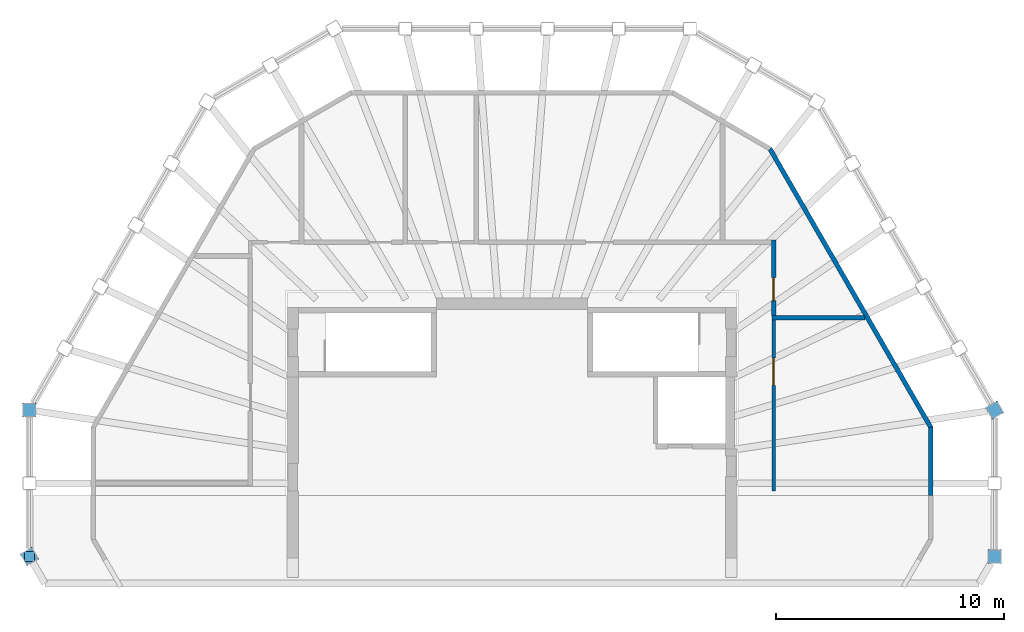
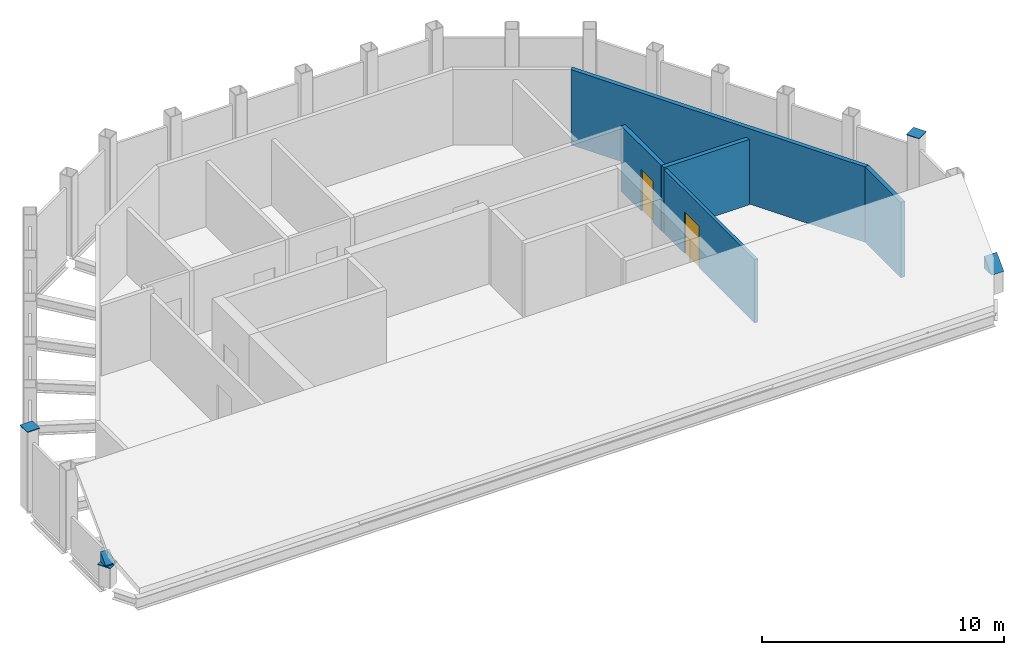
# One storey, part 3 of 4: 5 discrete accessories, 5 walls, 2 doors, 2 openings.
"""IFC4 building model written with IfcOpenShell, lengths in metres."""

from ifc_helpers import new_model, si_unit, direction, frame, frame_2d, origin, origin_2d, place, context, subcontext, project, spatial, polyline, rectangle, outline, extrude, material, layer, layer_set, type_object, element, fill, save


model = new_model("IFC4")

# Units and contexts
model_context = context("Model", 3, precision=1e-05, world=origin(), true_north=direction((0.0, 1.0)))
body_context = subcontext(model_context, "Body", "Model", "MODEL_VIEW")
ifc_project = project(units=[si_unit("LENGTHUNIT", "METRE"), si_unit("AREAUNIT", "SQUARE_METRE"), si_unit("VOLUMEUNIT", "CUBIC_METRE"), si_unit("PLANEANGLEUNIT", "RADIAN"), si_unit("MASSUNIT", "GRAM", prefix="KILO")], contexts=[model_context])

# Site, building, storey
site_placement = place(None, origin())
site = spatial("IfcSite", under=ifc_project, at=site_placement, CompositionType="ELEMENT")
building_placement = place(site_placement, origin())
building = spatial("IfcBuilding", under=site, at=building_placement, Name="Frailejon Research Tower", CompositionType="ELEMENT")
storey_placement = place(building_placement, frame((0.0, 0.0, 364.60009765625)))
storey = spatial("IfcBuildingStorey", under=building, at=storey_placement, Name="L82", CompositionType="ELEMENT", Elevation=364.60009765625)

# Wall, opening, door
ifc_material_1 = material(Name="Gypsum board and masonry partition", Category="masonry")
ifc_layer_1 = layer(ifc_material_1, 0.14990234375)
ifc_layer_set_1 = layer_set([ifc_layer_1], Name="Corridor wall EI 60, gypsum on steel studs 150")
wall_type_1 = type_object("IfcWallType", Name="Corridor wall EI 60, gypsum on steel studs 150", PredefinedType="PARTITIONING", material=ifc_layer_set_1)
wall_1_placement = place(storey_placement, frame((11.449951171875, -0.330078125, 0.0), z_axis=(0.0, 0.0, 1.0), x_axis=(0.0, 1.0, 0.0)))
wall_1 = element("IfcWall", 1, at=wall_1_placement, inside=storey, type_object=wall_type_1, Name="T:IW:L82:001", PredefinedType="PARTITIONING", context=body_context, shape_type="SweptSolid", body=[
    extrude(rectangle(XDim=7.481201171875, YDim=0.14990234375, at=frame_2d((3.74072265625, 0.0))), origin(), (0.0, 0.0, 1.0), 3.199951171875),
])
opening_1_placement = place(wall_1_placement, frame((4.611083984375, 0.0, 0.0)))
opening_1 = element("IfcOpeningElement", 2, at=opening_1_placement, cuts=wall_1, Name="Opening D1212", PredefinedType="OPENING", context=body_context, shape_type="SweptSolid", body=[
    extrude(rectangle(XDim=1.199951171875, YDim=2.10009765625, at=frame_2d((0.60009765625, 1.050048828125))), frame((0.0, 0.0849609375, 0.0), z_axis=(0.0, -1.0, 0.0), x_axis=(1.0, 0.0, 0.0)), (0.0, 0.0, 1.0), 0.169921875),
])
ifc_material_2 = material(Name="Steel door leaf", Category="steel")
door_type_1 = type_object("IfcDoorType", Name="Door plant room, steel 1200", OperationType="NOTDEFINED", PredefinedType="DOOR", material=ifc_material_2)
door_1_placement = place(opening_1_placement, origin())
door_1 = element("IfcDoor", 3, at=door_1_placement, inside=storey, type_object=door_type_1, Name="D1212", OperationType="DOUBLE_DOOR_SINGLE_SWING", OverallHeight=2.10009765625, OverallWidth=1.199951171875, PredefinedType="DOOR", context=body_context, shape_type="SweptSolid", body=[
    extrude(rectangle(XDim=1.199951171875, YDim=2.10009765625, at=frame_2d((0.60009765625, 1.050048828125))), frame((0.0, 0.02490234375, 0.0), z_axis=(0.0, -1.0, 0.0), x_axis=(1.0, 0.0, 0.0)), (0.0, 0.0, 1.0), 0.050048828125),
])
fill(opening_1, door_1)

# Walls
ifc_material_3 = material(Name="Aluminium louvre cladding panel", Category="aluminium")
ifc_layer_2 = layer(ifc_material_3, 0.199951171875)
ifc_layer_set_2 = layer_set([ifc_layer_2], Name="Crown louvred wall 200")
wall_type_2 = type_object("IfcWallType", Name="Crown louvred wall 200", PredefinedType="SOLIDWALL", material=ifc_layer_set_2)
wall_2_placement = place(storey_placement, frame((18.327392578125, -0.5302734375, 0.0), z_axis=(0.0, 0.0, 1.0), x_axis=(0.0, 1.0, 0.0)))
element("IfcWall", 4, at=wall_2_placement, inside=storey, type_object=wall_type_2, Name="Crown louvred wall L82", PredefinedType="SOLIDWALL", context=body_context, shape_type="SweptSolid", body=[
    extrude(outline(polyline([(0.0, -0.10009765625), (3.012939453125, -0.10009765625), (2.959228515625, 0.10009765625), (0.0, 0.10009765625), (0.0, -0.10009765625)])), origin(), (0.0, 0.0, 1.0), 3.7998046875),
])
wall_3_placement = place(storey_placement, frame((18.327392578125, 2.455810546875, 0.0), z_axis=(0.0, 0.0, 1.0), x_axis=(-0.499991740577, 0.866030172312, 0.0)))
element("IfcWall", 5, at=wall_3_placement, inside=storey, type_object=wall_type_2, Name="Crown louvred wall L82", PredefinedType="SOLIDWALL", context=body_context, shape_type="SweptSolid", body=[
    extrude(outline(polyline([(-0.02685546875, -0.10009765625), (14.100830078125, -0.10009765625), (14.047119140625, 0.10009765625), (0.02685546875, 0.10009765625), (-0.02685546875, -0.10009765625)])), origin(), (0.0, 0.0, 1.0), 3.7998046875),
])

# Wall, opening, door
ifc_material_4 = material(Name="Gypsum board and masonry partition", Category="masonry")
ifc_layer_3 = layer(ifc_material_4, 0.199951171875)
ifc_layer_set_3 = layer_set([ifc_layer_3], Name="Plant enclosure wall, blockwork 200")
wall_type_3 = type_object("IfcWallType", Name="Plant enclosure wall, blockwork 200", PredefinedType="PARTITIONING", material=ifc_layer_set_3)
wall_4_placement = place(storey_placement, frame((11.449951171875, 7.351318359375, 0.0), z_axis=(0.0, 0.0, 1.0), x_axis=(0.0, 1.0, 0.0)))
wall_4 = element("IfcWall", 6, at=wall_4_placement, inside=storey, type_object=wall_type_3, Name="T:IW:L82:007", PredefinedType="PARTITIONING", context=body_context, shape_type="SweptSolid", body=[
    extrude(rectangle(XDim=3.298583984375, YDim=0.199951171875, at=frame_2d((1.6494140625, 0.0))), origin(), (0.0, 0.0, 1.0), 3.2998046875),
])
opening_2_placement = place(wall_4_placement, frame((0.649658203125, 0.0, 0.0)))
opening_2 = element("IfcOpeningElement", 7, at=opening_2_placement, cuts=wall_4, Name="Opening D1213", PredefinedType="OPENING", context=body_context, shape_type="SweptSolid", body=[
    extrude(rectangle(XDim=1.0, YDim=2.10009765625, at=frame_2d((0.5, 1.050048828125))), frame((0.0, 0.10986328125, 0.0), z_axis=(0.0, -1.0, 0.0), x_axis=(1.0, 0.0, 0.0)), (0.0, 0.0, 1.0), 0.219970703125),
])
ifc_material_5 = material(Name="Steel door leaf", Category="steel")
door_type_2 = type_object("IfcDoorType", Name="Door plant room, steel 1000", OperationType="NOTDEFINED", PredefinedType="DOOR", material=ifc_material_5)
door_2_placement = place(opening_2_placement, origin())
door_2 = element("IfcDoor", 8, at=door_2_placement, inside=storey, type_object=door_type_2, Name="D1213", OperationType="SINGLE_SWING_RIGHT", OverallHeight=2.10009765625, OverallWidth=1.0, PredefinedType="DOOR", context=body_context, shape_type="SweptSolid", body=[
    extrude(rectangle(XDim=1.0, YDim=2.10009765625, at=frame_2d((0.5, 1.050048828125))), frame((0.0, 0.02490234375, 0.0), z_axis=(0.0, -1.0, 0.0), x_axis=(1.0, 0.0, 0.0)), (0.0, 0.0, 1.0), 0.050048828125),
])
fill(opening_2, door_2)

# Wall
wall_5_placement = place(storey_placement, frame((11.375, 7.251220703125, 0.0), z_axis=(0.0, 0.0, 1.0), x_axis=(1.0, 0.0, 0.0)))
element("IfcWall", 9, at=wall_5_placement, inside=storey, type_object=wall_type_3, Name="T:IW:L82:010", PredefinedType="PARTITIONING", context=body_context, shape_type="SweptSolid", body=[
    extrude(rectangle(XDim=4.068359375, YDim=0.199951171875, at=frame_2d((2.0341796875, 0.0))), origin(), (0.0, 0.0, 1.0), 3.2998046875),
])

# Discrete accessories
discrete_accessory_1_placement = place(storey_placement, frame((20.827392578125, -3.2060546875, 1.02392578125), z_axis=(1.0, 0.0, 0.0), x_axis=(0.0, 1.0, 0.0)))
element("IfcDiscreteAccessory", 10, at=discrete_accessory_1_placement, inside=storey, Name="Crown column bearing wedge", PredefinedType="ANCHORPLATE", context=body_context, shape_type="SweptSolid", body=[
    extrude(outline(polyline([(-0.300048828125, 0.0), (0.300048828125, 0.0), (0.300048828125, 0.60009765625), (-0.300048828125, 0.0)])), origin(), (0.0, 0.0, 1.0), 0.60009765625),
])
discrete_accessory_2_placement = place(storey_placement, frame((-21.34716796875, -3.2060546875, 1.02392578125), z_axis=(1.0, 0.0, 0.0), x_axis=(0.0, 1.0, 0.0)))
element("IfcDiscreteAccessory", 11, at=discrete_accessory_2_placement, inside=storey, Name="Crown column bearing wedge", PredefinedType="ANCHORPLATE", context=body_context, shape_type="SweptSolid", body=[
    extrude(outline(polyline([(-0.219482421875, 0.0), (0.219482421875, 0.0), (0.219482421875, 0.51953125), (-0.219482421875, 0.080322265625), (-0.219482421875, 0.0)])), origin(), (0.0, 0.0, 1.0), 0.439208984375),
])
for number, where, z_axis, x_axis, name in (
    (12, (21.12744140625, 3.2060546875, 4.0), (0.0, 0.0, 1.0), (-0.5, 0.866025403784, 0.0), "Crown column end plate"),
    (13, (-21.12744140625, 3.2060546875, 4.0), (0.0, 0.0, 1.0), (0.0, -1.0, 0.0), "Crown column end plate"),
):
    element("IfcDiscreteAccessory", number, at=place(storey_placement, frame(where, z_axis=z_axis, x_axis=x_axis)), inside=storey, Name=name, PredefinedType="ANCHORPLATE", context=body_context, shape_type="SweptSolid", body=[
        extrude(rectangle(XDim=0.60009765625, YDim=0.60009765625, at=origin_2d()), origin(), (0.0, 0.0, 1.0), 0.02978515625),
    ])
discrete_accessory_3_placement = place(storey_placement, frame((-21.12744140625, -3.2060546875, 1.02392578125), z_axis=(0.0, 0.0, 1.0), x_axis=(0.5, -0.866025403784, 0.0)))
element("IfcDiscreteAccessory", 14, at=discrete_accessory_3_placement, inside=storey, Name="Crown column end plate", PredefinedType="ANCHORPLATE", context=body_context, shape_type="SweptSolid", body=[
    extrude(rectangle(XDim=0.60009765625, YDim=0.60009765625, at=origin_2d()), origin(), (0.0, 0.0, 1.0), 0.030029296875),
])

save(model, "model.ifc")
